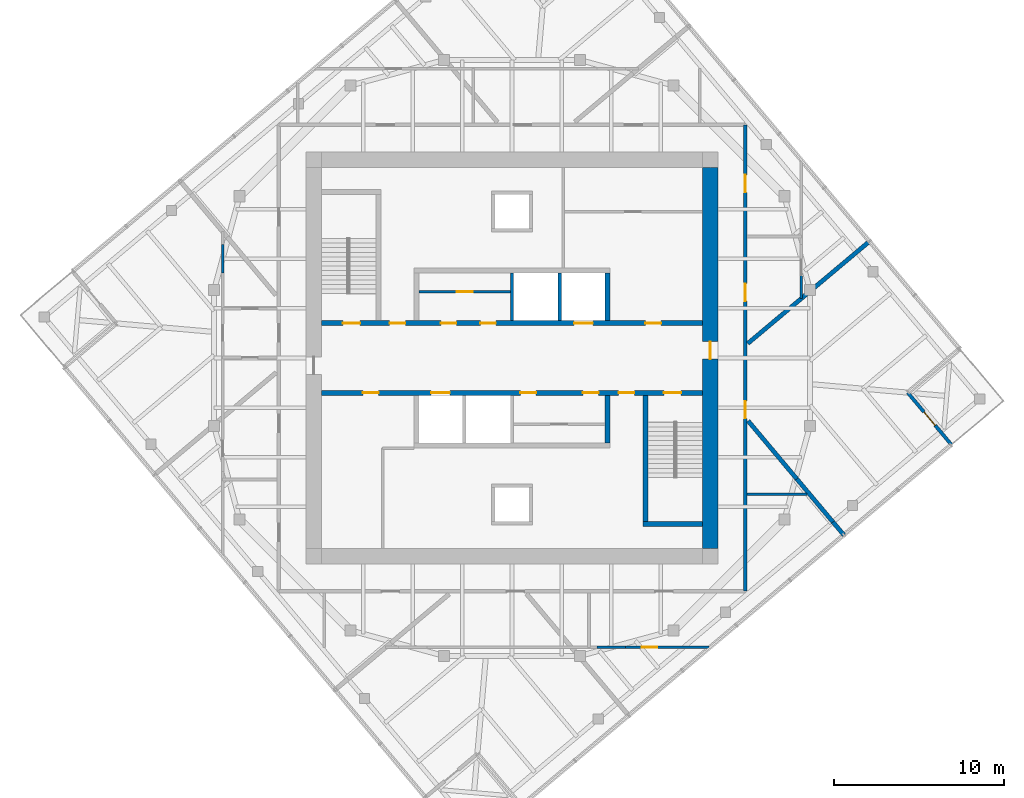
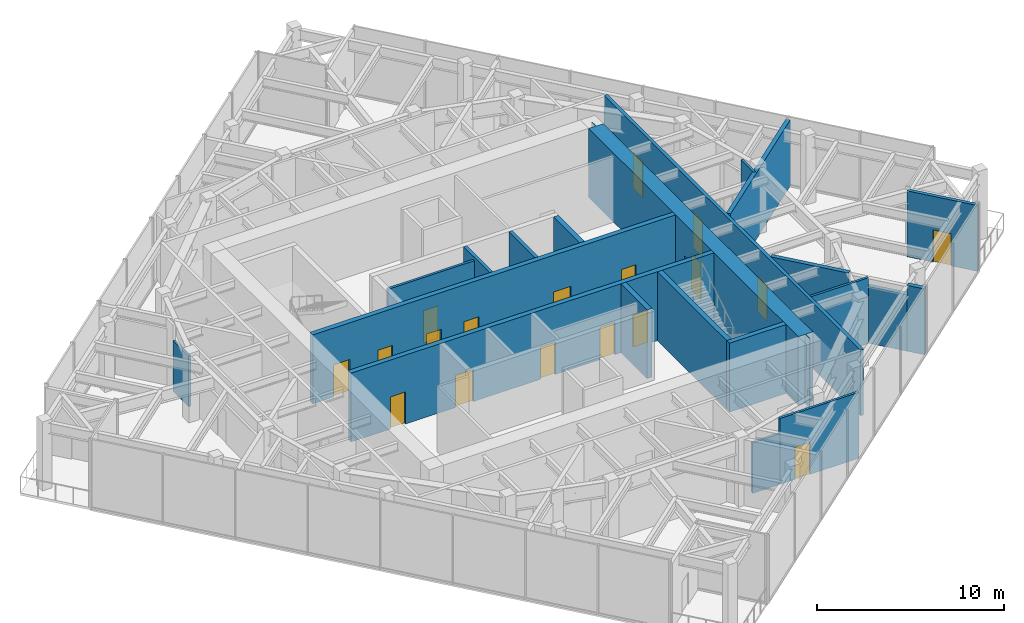
# One storey, part 9 of 11: 21 walls, 19 doors, 19 openings.
"""IFC4 building model written with IfcOpenShell, lengths in metres."""

from ifc_helpers import new_model, si_unit, direction, frame, frame_2d, origin, place, context, subcontext, project, spatial, polyline, rectangle, outline, extrude, material, layer, layer_set, type_object, element, fill, save


model = new_model("IFC4")

# Units and contexts
model_context = context("Model", 3, precision=1e-05, world=origin(), true_north=direction((0.0, 1.0)))
body_context = subcontext(model_context, "Body", "Model", "MODEL_VIEW")
ifc_project = project(units=[si_unit("LENGTHUNIT", "METRE"), si_unit("AREAUNIT", "SQUARE_METRE"), si_unit("VOLUMEUNIT", "CUBIC_METRE"), si_unit("PLANEANGLEUNIT", "RADIAN"), si_unit("MASSUNIT", "GRAM", prefix="KILO")], contexts=[model_context])

# Site, building, storey
site_placement = place(None, origin())
site = spatial("IfcSite", under=ifc_project, at=site_placement, CompositionType="ELEMENT")
building_placement = place(site_placement, origin())
building = spatial("IfcBuilding", under=site, at=building_placement, Name="Torsade Residences", CompositionType="ELEMENT")
storey_placement = place(building_placement, frame((0.0, 0.0, 299.800048828125)))
storey = spatial("IfcBuildingStorey", under=building, at=storey_placement, Name="L83", CompositionType="ELEMENT", Elevation=299.800048828125)

# Wall, openings, doors
ifc_material_1 = material(Name="Concrete 80 MPa", Category="concrete")
ifc_layer_1 = layer(ifc_material_1, 0.300048828125)
ifc_layer_set_1 = layer_set([ifc_layer_1], Name="Concrete 80 MPa")
wall_type_1 = type_object("IfcWallType", Name="CORE INTERNAL WALL 300", PredefinedType="SHEAR", material=ifc_layer_set_1)
wall_1_placement = place(storey_placement, frame((28.800048828125, 32.050048828125, 0.0), z_axis=(0.0, 0.0, 1.0), x_axis=(1.0, 0.0, 0.0)))
wall_1 = element("IfcWall", 1, at=wall_1_placement, inside=storey, type_object=wall_type_1, Name="Core wall LN L83", PredefinedType="SHEAR", context=body_context, shape_type="SweptSolid", body=[
    extrude(rectangle(XDim=22.39990234375, YDim=0.300048828125, at=frame_2d((11.199951171875, 0.0))), origin(), (0.0, 0.0, 1.0), 4.5),
])
opening_1_placement = place(wall_1_placement, frame((19.0400390625, 0.0, 0.0)))
opening_1 = element("IfcOpeningElement", 2, at=opening_1_placement, cuts=wall_1, Name="Opening D06", PredefinedType="OPENING", context=body_context, shape_type="SweptSolid", body=[
    extrude(rectangle(XDim=0.919921875, YDim=2.10009765625, at=frame_2d((0.4599609375, 1.050048828125))), frame((0.0, 0.159912109375, 0.0), z_axis=(0.0, -1.0, 0.0), x_axis=(1.0, 0.0, 0.0)), (0.0, 0.0, 1.0), 0.320068359375),
])
opening_2_placement = place(wall_1_placement, frame((1.264892578125, 0.0, 0.0)))
opening_2 = element("IfcOpeningElement", 3, at=opening_2_placement, cuts=wall_1, Name="Opening D03", PredefinedType="OPENING", context=body_context, shape_type="SweptSolid", body=[
    extrude(rectangle(XDim=1.02001953125, YDim=2.10009765625, at=frame_2d((0.510009765625, 1.050048828125))), frame((0.0, 0.159912109375, 0.0), z_axis=(0.0, -1.0, 0.0), x_axis=(1.0, 0.0, 0.0)), (0.0, 0.0, 1.0), 0.320068359375),
])
opening_3_placement = place(wall_1_placement, frame((4.014892578125, 0.0, 0.0)))
opening_3 = element("IfcOpeningElement", 4, at=opening_3_placement, cuts=wall_1, Name="Opening D06", PredefinedType="OPENING", context=body_context, shape_type="SweptSolid", body=[
    extrude(rectangle(XDim=0.919921875, YDim=2.10009765625, at=frame_2d((0.4599609375, 1.050048828125))), frame((0.0, 0.159912109375, 0.0), z_axis=(0.0, -1.0, 0.0), x_axis=(1.0, 0.0, 0.0)), (0.0, 0.0, 1.0), 0.320068359375),
])
opening_4_placement = place(wall_1_placement, frame((7.014892578125, 0.0, 0.0)))
opening_4 = element("IfcOpeningElement", 5, at=opening_4_placement, cuts=wall_1, Name="Opening D06", PredefinedType="OPENING", context=body_context, shape_type="SweptSolid", body=[
    extrude(rectangle(XDim=0.919921875, YDim=2.10009765625, at=frame_2d((0.4599609375, 1.050048828125))), frame((0.0, 0.159912109375, 0.0), z_axis=(0.0, -1.0, 0.0), x_axis=(1.0, 0.0, 0.0)), (0.0, 0.0, 1.0), 0.320068359375),
])
opening_5_placement = place(wall_1_placement, frame((9.340087890625, 0.0, 0.0)))
opening_5 = element("IfcOpeningElement", 6, at=opening_5_placement, cuts=wall_1, Name="Opening D06", PredefinedType="OPENING", context=body_context, shape_type="SweptSolid", body=[
    extrude(rectangle(XDim=0.919921875, YDim=2.10009765625, at=frame_2d((0.4599609375, 1.050048828125))), frame((0.0, 0.159912109375, 0.0), z_axis=(0.0, -1.0, 0.0), x_axis=(1.0, 0.0, 0.0)), (0.0, 0.0, 1.0), 0.320068359375),
])
opening_6_placement = place(wall_1_placement, frame((14.85009765625, 0.0, 0.0)))
opening_6 = element("IfcOpeningElement", 7, at=opening_6_placement, cuts=wall_1, Name="Opening LD", PredefinedType="OPENING", context=body_context, shape_type="SweptSolid", body=[
    extrude(rectangle(XDim=1.10009765625, YDim=2.10009765625, at=frame_2d((0.550048828125, 1.050048828125))), frame((0.0, 0.159912109375, 0.0), z_axis=(0.0, -1.0, 0.0), x_axis=(1.0, 0.0, 0.0)), (0.0, 0.0, 1.0), 0.320068359375),
])
ifc_material_2 = material(Name="Steel-framed fire door", Category="steel")
door_type_1 = type_object("IfcDoorType", Name="FIRE DOOR 1020", OperationType="NOTDEFINED", PredefinedType="DOOR", material=ifc_material_2)
door_1_placement = place(opening_2_placement, origin())
door_1 = element("IfcDoor", 8, at=door_1_placement, inside=storey, type_object=door_type_1, Name="Exit door to fire-isolated stair ST1 L83", OperationType="SINGLE_SWING_RIGHT", OverallHeight=2.10009765625, OverallWidth=1.02001953125, PredefinedType="DOOR", context=body_context, shape_type="SweptSolid", body=[
    extrude(rectangle(XDim=1.02001953125, YDim=2.10009765625, at=frame_2d((0.510009765625, 1.050048828125))), frame((0.0, 0.02490234375, 0.0), z_axis=(0.0, -1.0, 0.0), x_axis=(1.0, 0.0, 0.0)), (0.0, 0.0, 1.0), 0.050048828125),
])
fill(opening_2, door_1)
ifc_material_3 = material(Name="Steel-framed fire door", Category="steel")
door_type_2 = type_object("IfcDoorType", Name="FIRE DOOR 920", OperationType="NOTDEFINED", PredefinedType="DOOR", material=ifc_material_3)
door_2_placement = place(opening_1_placement, origin())
door_2 = element("IfcDoor", 9, at=door_2_placement, inside=storey, type_object=door_type_2, Name="Door Lift lobby to Refuse room", OperationType="SINGLE_SWING_LEFT", OverallHeight=2.10009765625, OverallWidth=0.919921875, PredefinedType="DOOR", context=body_context, shape_type="SweptSolid", body=[
    extrude(rectangle(XDim=0.919921875, YDim=2.10009765625, at=frame_2d((0.4599609375, 1.050048828125))), frame((0.0, 0.02490234375, 0.0), z_axis=(0.0, -1.0, 0.0), x_axis=(1.0, 0.0, 0.0)), (0.0, 0.0, 1.0), 0.050048828125),
])
fill(opening_1, door_2)
door_3_placement = place(opening_3_placement, origin())
door_3 = element("IfcDoor", 10, at=door_3_placement, inside=storey, type_object=door_type_2, Name="Door Lift lobby to Electrical riser room", OperationType="SINGLE_SWING_LEFT", OverallHeight=2.10009765625, OverallWidth=0.919921875, PredefinedType="DOOR", context=body_context, shape_type="SweptSolid", body=[
    extrude(rectangle(XDim=0.919921875, YDim=2.10009765625, at=frame_2d((0.4599609375, 1.050048828125))), frame((0.0, 0.02490234375, 0.0), z_axis=(0.0, -1.0, 0.0), x_axis=(1.0, 0.0, 0.0)), (0.0, 0.0, 1.0), 0.050048828125),
])
fill(opening_3, door_3)
door_4_placement = place(opening_4_placement, origin())
door_4 = element("IfcDoor", 11, at=door_4_placement, inside=storey, type_object=door_type_2, Name="Door Lift lobby to Plant spares store L83A", OperationType="SINGLE_SWING_RIGHT", OverallHeight=2.10009765625, OverallWidth=0.919921875, PredefinedType="DOOR", context=body_context, shape_type="SweptSolid", body=[
    extrude(rectangle(XDim=0.919921875, YDim=2.10009765625, at=frame_2d((0.4599609375, 1.050048828125))), frame((0.0, 0.02490234375, 0.0), z_axis=(0.0, -1.0, 0.0), x_axis=(1.0, 0.0, 0.0)), (0.0, 0.0, 1.0), 0.050048828125),
])
fill(opening_4, door_4)
door_5_placement = place(opening_5_placement, origin())
door_5 = element("IfcDoor", 12, at=door_5_placement, inside=storey, type_object=door_type_2, Name="Door Lift lobby to Plant spares store L83A", OperationType="SINGLE_SWING_LEFT", OverallHeight=2.10009765625, OverallWidth=0.919921875, PredefinedType="DOOR", context=body_context, shape_type="SweptSolid", body=[
    extrude(rectangle(XDim=0.919921875, YDim=2.10009765625, at=frame_2d((0.4599609375, 1.050048828125))), frame((0.0, 0.02490234375, 0.0), z_axis=(0.0, -1.0, 0.0), x_axis=(1.0, 0.0, 0.0)), (0.0, 0.0, 1.0), 0.050048828125),
])
fill(opening_5, door_5)
ifc_material_4 = material(Name="Stainless steel lift landing door", Category="steel")
door_type_3 = type_object("IfcDoorType", Name="LIFT LANDING DOOR 1100", OperationType="SLIDING_TO_LEFT", PredefinedType="DOOR", material=ifc_material_4)
door_6_placement = place(opening_6_placement, origin())
door_6 = element("IfcDoor", 13, at=door_6_placement, inside=storey, type_object=door_type_3, Name="Lift FL1 landing door L83", OperationType="SLIDING_TO_LEFT", OverallHeight=2.10009765625, OverallWidth=1.10009765625, PredefinedType="DOOR", context=body_context, shape_type="SweptSolid", body=[
    extrude(rectangle(XDim=1.10009765625, YDim=2.10009765625, at=frame_2d((0.550048828125, 1.050048828125))), frame((0.0, 0.02490234375, 0.0), z_axis=(0.0, -1.0, 0.0), x_axis=(1.0, 0.0, 0.0)), (0.0, 0.0, 1.0), 0.050048828125),
])
fill(opening_6, door_6)

wall_2_placement = place(storey_placement, frame((51.199951171875, 27.949951171875, 0.0), z_axis=(0.0, 0.0, 1.0), x_axis=(-1.0, 0.0, 0.0)))
wall_2 = element("IfcWall", 14, at=wall_2_placement, inside=storey, type_object=wall_type_1, Name="Core wall LS L83", PredefinedType="SHEAR", context=body_context, shape_type="SweptSolid", body=[
    extrude(rectangle(XDim=22.39990234375, YDim=0.300048828125, at=frame_2d((11.199951171875, 0.0))), origin(), (0.0, 0.0, 1.0), 4.5),
])
opening_7_placement = place(wall_2_placement, frame((19.0400390625, 0.0, 0.0)))
opening_7 = element("IfcOpeningElement", 15, at=opening_7_placement, cuts=wall_2, Name="Opening D06", PredefinedType="OPENING", context=body_context, shape_type="SweptSolid", body=[
    extrude(rectangle(XDim=0.919921875, YDim=2.10009765625, at=frame_2d((0.4599609375, 1.050048828125))), frame((0.0, 0.159912109375, 0.0), z_axis=(0.0, -1.0, 0.0), x_axis=(1.0, 0.0, 0.0)), (0.0, 0.0, 1.0), 0.320068359375),
])
opening_8_placement = place(wall_2_placement, frame((1.264892578125, 0.0, 0.0)))
opening_8 = element("IfcOpeningElement", 16, at=opening_8_placement, cuts=wall_2, Name="Opening D03", PredefinedType="OPENING", context=body_context, shape_type="SweptSolid", body=[
    extrude(rectangle(XDim=1.02001953125, YDim=2.10009765625, at=frame_2d((0.510009765625, 1.050048828125))), frame((0.0, 0.159912109375, 0.0), z_axis=(0.0, -1.0, 0.0), x_axis=(1.0, 0.0, 0.0)), (0.0, 0.0, 1.0), 0.320068359375),
])
opening_9_placement = place(wall_2_placement, frame((4.014892578125, 0.0, 0.0)))
opening_9 = element("IfcOpeningElement", 17, at=opening_9_placement, cuts=wall_2, Name="Opening D06", PredefinedType="OPENING", context=body_context, shape_type="SweptSolid", body=[
    extrude(rectangle(XDim=0.919921875, YDim=2.10009765625, at=frame_2d((0.4599609375, 1.050048828125))), frame((0.0, 0.159912109375, 0.0), z_axis=(0.0, -1.0, 0.0), x_axis=(1.0, 0.0, 0.0)), (0.0, 0.0, 1.0), 0.320068359375),
])
opening_10_placement = place(wall_2_placement, frame((9.7900390625, 0.0, 0.0)))
opening_10 = element("IfcOpeningElement", 18, at=opening_10_placement, cuts=wall_2, Name="Opening D06", PredefinedType="OPENING", context=body_context, shape_type="SweptSolid", body=[
    extrude(rectangle(XDim=0.919921875, YDim=2.10009765625, at=frame_2d((0.4599609375, 1.050048828125))), frame((0.0, 0.159912109375, 0.0), z_axis=(0.0, -1.0, 0.0), x_axis=(1.0, 0.0, 0.0)), (0.0, 0.0, 1.0), 0.320068359375),
])
opening_11_placement = place(wall_2_placement, frame((6.114990234375, 0.0, 0.0)))
opening_11 = element("IfcOpeningElement", 19, at=opening_11_placement, cuts=wall_2, Name="Opening D06", PredefinedType="OPENING", context=body_context, shape_type="SweptSolid", body=[
    extrude(rectangle(XDim=0.919921875, YDim=2.10009765625, at=frame_2d((0.4599609375, 1.050048828125))), frame((0.0, 0.159912109375, 0.0), z_axis=(0.0, -1.0, 0.0), x_axis=(1.0, 0.0, 0.0)), (0.0, 0.0, 1.0), 0.320068359375),
])
opening_12_placement = place(wall_2_placement, frame((14.85009765625, 0.0, 0.0)))
opening_12 = element("IfcOpeningElement", 20, at=opening_12_placement, cuts=wall_2, Name="Opening LD", PredefinedType="OPENING", context=body_context, shape_type="SweptSolid", body=[
    extrude(rectangle(XDim=1.10009765625, YDim=2.10009765625, at=frame_2d((0.550048828125, 1.050048828125))), frame((0.0, 0.159912109375, 0.0), z_axis=(0.0, -1.0, 0.0), x_axis=(1.0, 0.0, 0.0)), (0.0, 0.0, 1.0), 0.320068359375),
])
door_7_placement = place(opening_8_placement, origin())
door_7 = element("IfcDoor", 21, at=door_7_placement, inside=storey, type_object=door_type_1, Name="Exit door to fire-isolated stair ST2 L83", OperationType="SINGLE_SWING_RIGHT", OverallHeight=2.10009765625, OverallWidth=1.02001953125, PredefinedType="DOOR", context=body_context, shape_type="SweptSolid", body=[
    extrude(rectangle(XDim=1.02001953125, YDim=2.10009765625, at=frame_2d((0.510009765625, 1.050048828125))), frame((0.0, 0.02490234375, 0.0), z_axis=(0.0, -1.0, 0.0), x_axis=(1.0, 0.0, 0.0)), (0.0, 0.0, 1.0), 0.050048828125),
])
fill(opening_8, door_7)
door_8_placement = place(opening_7_placement, origin())
door_8 = element("IfcDoor", 22, at=door_8_placement, inside=storey, type_object=door_type_2, Name="Door Lift lobby to Cleaner store", OperationType="SINGLE_SWING_LEFT", OverallHeight=2.10009765625, OverallWidth=0.919921875, PredefinedType="DOOR", context=body_context, shape_type="SweptSolid", body=[
    extrude(rectangle(XDim=0.919921875, YDim=2.10009765625, at=frame_2d((0.4599609375, 1.050048828125))), frame((0.0, 0.02490234375, 0.0), z_axis=(0.0, -1.0, 0.0), x_axis=(1.0, 0.0, 0.0)), (0.0, 0.0, 1.0), 0.050048828125),
])
fill(opening_7, door_8)
door_9_placement = place(opening_9_placement, origin())
door_9 = element("IfcDoor", 23, at=door_9_placement, inside=storey, type_object=door_type_2, Name="Door Lift lobby to Communications riser room", OperationType="SINGLE_SWING_RIGHT", OverallHeight=2.10009765625, OverallWidth=0.919921875, PredefinedType="DOOR", context=body_context, shape_type="SweptSolid", body=[
    extrude(rectangle(XDim=0.919921875, YDim=2.10009765625, at=frame_2d((0.4599609375, 1.050048828125))), frame((0.0, 0.02490234375, 0.0), z_axis=(0.0, -1.0, 0.0), x_axis=(1.0, 0.0, 0.0)), (0.0, 0.0, 1.0), 0.050048828125),
])
fill(opening_9, door_9)
door_10_placement = place(opening_10_placement, origin())
door_10 = element("IfcDoor", 24, at=door_10_placement, inside=storey, type_object=door_type_2, Name="Door Lift lobby to Maintenance workshop L83C", OperationType="SINGLE_SWING_RIGHT", OverallHeight=2.10009765625, OverallWidth=0.919921875, PredefinedType="DOOR", context=body_context, shape_type="SweptSolid", body=[
    extrude(rectangle(XDim=0.919921875, YDim=2.10009765625, at=frame_2d((0.4599609375, 1.050048828125))), frame((0.0, 0.02490234375, 0.0), z_axis=(0.0, -1.0, 0.0), x_axis=(1.0, 0.0, 0.0)), (0.0, 0.0, 1.0), 0.050048828125),
])
fill(opening_10, door_10)
door_11_placement = place(opening_11_placement, origin())
door_11 = element("IfcDoor", 25, at=door_11_placement, inside=storey, type_object=door_type_2, Name="Door Lift lobby to Maintenance workshop L83C", OperationType="SINGLE_SWING_LEFT", OverallHeight=2.10009765625, OverallWidth=0.919921875, PredefinedType="DOOR", context=body_context, shape_type="SweptSolid", body=[
    extrude(rectangle(XDim=0.919921875, YDim=2.10009765625, at=frame_2d((0.4599609375, 1.050048828125))), frame((0.0, 0.02490234375, 0.0), z_axis=(0.0, -1.0, 0.0), x_axis=(1.0, 0.0, 0.0)), (0.0, 0.0, 1.0), 0.050048828125),
])
fill(opening_11, door_11)
door_12_placement = place(opening_12_placement, origin())
door_12 = element("IfcDoor", 26, at=door_12_placement, inside=storey, type_object=door_type_3, Name="Lift FL2 landing door L83", OperationType="SLIDING_TO_LEFT", OverallHeight=2.10009765625, OverallWidth=1.10009765625, PredefinedType="DOOR", context=body_context, shape_type="SweptSolid", body=[
    extrude(rectangle(XDim=1.10009765625, YDim=2.10009765625, at=frame_2d((0.550048828125, 1.050048828125))), frame((0.0, 0.02490234375, 0.0), z_axis=(0.0, -1.0, 0.0), x_axis=(1.0, 0.0, 0.0)), (0.0, 0.0, 1.0), 0.050048828125),
])
fill(opening_12, door_12)

# Walls
for number, where, z_axis, x_axis, name in (
    (27, (45.60009765625, 27.800048828125, 0.0), (0.0, 0.0, 1.0), (0.0, -1.0, 0.0), "Core wall DS0 L83"),
    (28, (45.60009765625, 32.199951171875, 0.0), (0.0, 0.0, 1.0), (0.0, 1.0, 0.0), "Core wall DN4 L83"),
):
    element("IfcWall", number, at=place(storey_placement, frame(where, z_axis=z_axis, x_axis=x_axis)), inside=storey, type_object=wall_type_1, Name=name, PredefinedType="SHEAR", context=body_context, shape_type="SweptSolid", body=[
        extrude(rectangle(XDim=2.800048828125, YDim=0.300048828125, at=frame_2d((1.39990234375, 0.0))), origin(), (0.0, 0.0, 1.0), 4.5),
    ])
wall_3_placement = place(storey_placement, frame((47.85009765625, 27.800048828125, 0.0), z_axis=(0.0, 0.0, 1.0), x_axis=(0.0, -1.0, 0.0)))
element("IfcWall", 29, at=wall_3_placement, inside=storey, type_object=wall_type_1, Name="Core wall ST2W L83", PredefinedType="SHEAR", context=body_context, shape_type="SweptSolid", body=[
    extrude(rectangle(XDim=7.699951171875, YDim=0.300048828125, at=frame_2d((3.85009765625, 0.0))), origin(), (0.0, 0.0, 1.0), 4.5),
])
wall_4_placement = place(storey_placement, frame((51.199951171875, 20.25, 0.0), z_axis=(0.0, 0.0, 1.0), x_axis=(-1.0, 0.0, 0.0)))
element("IfcWall", 30, at=wall_4_placement, inside=storey, type_object=wall_type_1, Name="Core wall ST2S L83", PredefinedType="SHEAR", context=body_context, shape_type="SweptSolid", body=[
    extrude(rectangle(XDim=3.5, YDim=0.300048828125, at=frame_2d((1.75, 0.0))), origin(), (0.0, 0.0, 1.0), 4.5),
])

# Wall, opening, door
ifc_material_5 = material(Name="Concrete 80 MPa", Category="concrete")
ifc_layer_2 = layer(ifc_material_5, 0.89990234375)
ifc_layer_set_2 = layer_set([ifc_layer_2], Name="Concrete 80 MPa")
wall_type_2 = type_object("IfcWallType", Name="CORE WALL 900", PredefinedType="SHEAR", material=ifc_layer_set_2)
wall_5_placement = place(storey_placement, frame((51.64990234375, 18.800048828125, 0.0), z_axis=(0.0, 0.0, 1.0), x_axis=(0.0, 1.0, 0.0)))
wall_5 = element("IfcWall", 31, at=wall_5_placement, inside=storey, type_object=wall_type_2, Name="Core wall E L83", PredefinedType="SHEAR", context=body_context, shape_type="SweptSolid", body=[
    extrude(outline(polyline([(0.0, -0.449951171875), (22.39990234375, -0.449951171875), (22.39990234375, -0.02490234375), (22.849853515625, -0.02490234375), (22.849853515625, 0.02490234375), (22.39990234375, 0.02490234375), (22.39990234375, 0.449951171875), (0.0, 0.449951171875), (0.0, 0.02490234375), (-0.449951171875, 0.02490234375), (-0.449951171875, -0.02490234375), (0.0, -0.02490234375), (0.0, -0.449951171875)])), origin(), (0.0, 0.0, 1.0), 4.5),
])
opening_13_placement = place(wall_5_placement, frame((11.139892578125, 0.0, 0.0)))
opening_13 = element("IfcOpeningElement", 32, at=opening_13_placement, cuts=wall_5, Name="Opening D04", PredefinedType="OPENING", context=body_context, shape_type="SweptSolid", body=[
    extrude(rectangle(XDim=1.02001953125, YDim=2.39990234375, at=frame_2d((0.510009765625, 1.199951171875))), frame((0.0, 0.4599609375, 0.0), z_axis=(0.0, -1.0, 0.0), x_axis=(1.0, 0.0, 0.0)), (0.0, 0.0, 1.0), 0.919921875),
])
ifc_material_6 = material(Name="Steel-framed fire door", Category="steel")
door_type_4 = type_object("IfcDoorType", Name="LOBBY SMOKE DOOR 1020x2400", OperationType="NOTDEFINED", PredefinedType="DOOR", material=ifc_material_6)
door_13_placement = place(opening_13_placement, origin())
door_13 = element("IfcDoor", 33, at=door_13_placement, inside=storey, type_object=door_type_4, Name="Lift lobby door E L83", OperationType="SINGLE_SWING_LEFT", OverallHeight=2.39990234375, OverallWidth=1.02001953125, PredefinedType="DOOR", context=body_context, shape_type="SweptSolid", body=[
    extrude(rectangle(XDim=1.02001953125, YDim=2.39990234375, at=frame_2d((0.510009765625, 1.199951171875))), frame((0.0, 0.02490234375, 0.0), z_axis=(0.0, -1.0, 0.0), x_axis=(1.0, 0.0, 0.0)), (0.0, 0.0, 1.0), 0.050048828125),
])
fill(opening_13, door_13)

# Wall, openings, doors
ifc_material_7 = material(Name="Plasterboard on steel stud", Category="steel")
ifc_layer_3 = layer(ifc_material_7, 0.199951171875)
ifc_layer_set_3 = layer_set([ifc_layer_3], Name="Plasterboard on steel stud")
wall_type_3 = type_object("IfcWallType", Name="CORRIDOR WALL 200", PredefinedType="PARTITIONING", material=ifc_layer_set_3)
wall_6_placement = place(storey_placement, frame((53.699951171875, 16.300048828125, 0.0), z_axis=(0.0, 0.0, 1.0), x_axis=(0.0, 1.0, 0.0)))
wall_6 = element("IfcWall", 34, at=wall_6_placement, inside=storey, type_object=wall_type_3, Name="Corridor wall L83", PredefinedType="PARTITIONING", context=body_context, shape_type="SweptSolid", body=[
    extrude(rectangle(XDim=27.39990234375, YDim=0.199951171875, at=frame_2d((13.699951171875, 0.0))), origin(), (0.0, 0.0, 1.0), 4.300048828125),
])
opening_14_placement = place(wall_6_placement, frame((10.146240234375, 0.0, 0.0)))
opening_14 = element("IfcOpeningElement", 35, at=opening_14_placement, cuts=wall_6, Name="Opening D01", PredefinedType="OPENING", context=body_context, shape_type="SweptSolid", body=[
    extrude(rectangle(XDim=1.02001953125, YDim=2.340087890625, at=frame_2d((0.510009765625, 1.169921875))), frame((0.0, 0.10986328125, 0.0), z_axis=(0.0, -1.0, 0.0), x_axis=(1.0, 0.0, 0.0)), (0.0, 0.0, 1.0), 0.219970703125),
])
opening_15_placement = place(wall_6_placement, frame((17.0419921875, 0.0, 0.0)))
opening_15 = element("IfcOpeningElement", 36, at=opening_15_placement, cuts=wall_6, Name="Opening D01", PredefinedType="OPENING", context=body_context, shape_type="SweptSolid", body=[
    extrude(rectangle(XDim=1.02001953125, YDim=2.340087890625, at=frame_2d((0.510009765625, 1.169921875))), frame((0.0, 0.10986328125, 0.0), z_axis=(0.0, -1.0, 0.0), x_axis=(1.0, 0.0, 0.0)), (0.0, 0.0, 1.0), 0.219970703125),
])
opening_16_placement = place(wall_6_placement, frame((23.43408203125, 0.0, 0.0)))
opening_16 = element("IfcOpeningElement", 37, at=opening_16_placement, cuts=wall_6, Name="Opening D01", PredefinedType="OPENING", context=body_context, shape_type="SweptSolid", body=[
    extrude(rectangle(XDim=1.02001953125, YDim=2.340087890625, at=frame_2d((0.510009765625, 1.169921875))), frame((0.0, 0.10986328125, 0.0), z_axis=(0.0, -1.0, 0.0), x_axis=(1.0, 0.0, 0.0)), (0.0, 0.0, 1.0), 0.219970703125),
])
ifc_material_8 = material(Name="Solid-core timber fire door", Category="wood")
door_type_5 = type_object("IfcDoorType", Name="APARTMENT ENTRY DOOR 1020x2340", OperationType="NOTDEFINED", PredefinedType="DOOR", material=ifc_material_8)
door_14_placement = place(opening_14_placement, origin())
door_14 = element("IfcDoor", 38, at=door_14_placement, inside=storey, type_object=door_type_5, Name="Door Plant corridor to Plant cupboard", OperationType="SINGLE_SWING_RIGHT", OverallHeight=2.340087890625, OverallWidth=1.02001953125, PredefinedType="DOOR", context=body_context, shape_type="SweptSolid", body=[
    extrude(rectangle(XDim=1.02001953125, YDim=2.340087890625, at=frame_2d((0.510009765625, 1.169921875))), frame((0.0, 0.02490234375, 0.0), z_axis=(0.0, -1.0, 0.0), x_axis=(1.0, 0.0, 0.0)), (0.0, 0.0, 1.0), 0.050048828125),
])
fill(opening_14, door_14)
door_15_placement = place(opening_15_placement, origin())
door_15 = element("IfcDoor", 39, at=door_15_placement, inside=storey, type_object=door_type_5, Name="Door Plant corridor to Store", OperationType="SINGLE_SWING_RIGHT", OverallHeight=2.340087890625, OverallWidth=1.02001953125, PredefinedType="DOOR", context=body_context, shape_type="SweptSolid", body=[
    extrude(rectangle(XDim=1.02001953125, YDim=2.340087890625, at=frame_2d((0.510009765625, 1.169921875))), frame((0.0, 0.02490234375, 0.0), z_axis=(0.0, -1.0, 0.0), x_axis=(1.0, 0.0, 0.0)), (0.0, 0.0, 1.0), 0.050048828125),
])
fill(opening_15, door_15)
door_16_placement = place(opening_16_placement, origin())
door_16 = element("IfcDoor", 40, at=door_16_placement, inside=storey, type_object=door_type_5, Name="Door Plant corridor to Service lobby", OperationType="SINGLE_SWING_RIGHT", OverallHeight=2.340087890625, OverallWidth=1.02001953125, PredefinedType="DOOR", context=body_context, shape_type="SweptSolid", body=[
    extrude(rectangle(XDim=1.02001953125, YDim=2.340087890625, at=frame_2d((0.510009765625, 1.169921875))), frame((0.0, 0.02490234375, 0.0), z_axis=(0.0, -1.0, 0.0), x_axis=(1.0, 0.0, 0.0)), (0.0, 0.0, 1.0), 0.050048828125),
])
fill(opening_16, door_16)

# Walls
ifc_material_9 = material(Name="Reinforced blockwork", Category="masonry")
ifc_layer_4 = layer(ifc_material_9, 0.199951171875)
ifc_layer_set_4 = layer_set([ifc_layer_4], Name="Reinforced blockwork")
wall_type_4 = type_object("IfcWallType", Name="LIFT SHAFT DIVIDING WALL 200", PredefinedType="SOLIDWALL", material=ifc_layer_set_4)
for number, where, z_axis, x_axis, name in (
    (41, (40.0, 32.199951171875, 0.0), (0.0, 0.0, 1.0), (0.0, 1.0, 0.0), "Core wall DN2 L83"),
    (42, (42.800048828125, 32.199951171875, 0.0), (0.0, 0.0, 1.0), (0.0, 1.0, 0.0), "Core wall DN3 L83"),
):
    element("IfcWall", number, at=place(storey_placement, frame(where, z_axis=z_axis, x_axis=x_axis)), inside=storey, type_object=wall_type_4, Name=name, PredefinedType="SOLIDWALL", context=body_context, shape_type="SweptSolid", body=[
        extrude(rectangle(XDim=2.800048828125, YDim=0.199951171875, at=frame_2d((1.39990234375, 0.0))), origin(), (0.0, 0.0, 1.0), 4.5),
    ])
ifc_material_10 = material(Name="Masonry-lined stud party wall", Category="masonry")
ifc_layer_5 = layer(ifc_material_10, 0.25)
ifc_layer_set_5 = layer_set([ifc_layer_5], Name="Masonry-lined stud party wall")
wall_type_5 = type_object("IfcWallType", Name="PARTY WALL 250", PredefinedType="PARTITIONING", material=ifc_layer_set_5)
wall_7_placement = place(storey_placement, frame((59.4970703125, 19.59912109375, 0.0), z_axis=(0.0, 0.0, 1.0), x_axis=(-0.64277405138, 0.766055819685, 0.0)))
element("IfcWall", 43, at=wall_7_placement, inside=storey, type_object=wall_type_5, Name="Party wall L83", PredefinedType="PARTITIONING", context=body_context, shape_type="SweptSolid", body=[
    extrude(rectangle(XDim=1.0, YDim=0.25, at=frame_2d((0.5, 0.0))), origin(), (0.0, 0.0, 1.0), 4.300048828125),
])
wall_8_placement = place(storey_placement, frame((58.854248046875, 20.365234375, 0.0), z_axis=(0.0, 0.0, 1.0), x_axis=(-0.642823301165, 0.766014492995, 0.0)))
element("IfcWall", 44, at=wall_8_placement, inside=storey, type_object=wall_type_5, Name="Party wall L83", PredefinedType="PARTITIONING", context=body_context, shape_type="SweptSolid", body=[
    extrude(rectangle(XDim=3.3076171875, YDim=0.25, at=frame_2d((1.65380859375, 0.0))), origin(), (0.0, 0.0, 1.0), 3.68798828125),
])
wall_9_placement = place(storey_placement, frame((56.72802734375, 22.89892578125, 0.0), z_axis=(0.0, 0.0, 1.0), x_axis=(-0.642778620996, 0.766051985436, 0.0)))
element("IfcWall", 45, at=wall_9_placement, inside=storey, type_object=wall_type_5, Name="Party wall L83", PredefinedType="PARTITIONING", context=body_context, shape_type="SweptSolid", body=[
    extrude(rectangle(XDim=4.4462890625, YDim=0.25, at=frame_2d((2.22314453125, 0.0))), origin(), (0.0, 0.0, 1.0), 4.300048828125),
])
wall_10_placement = place(storey_placement, frame((61.0068359375, 36.857177734375, 0.0), z_axis=(0.0, 0.0, 1.0), x_axis=(-0.766045019392, -0.64278692291, 0.0)))
element("IfcWall", 46, at=wall_10_placement, inside=storey, type_object=wall_type_5, Name="Party wall L83", PredefinedType="PARTITIONING", context=body_context, shape_type="SweptSolid", body=[
    extrude(rectangle(XDim=9.343017578125, YDim=0.25, at=frame_2d((4.67138671875, 0.0))), origin(), (0.0, 0.0, 1.0), 4.300048828125),
])

# Wall, opening, door
ifc_material_11 = material(Name="Stone-faced precast concrete 40 MPa panel", Category="masonry")
ifc_layer_6 = layer(ifc_material_11, 0.199951171875)
ifc_layer_set_6 = layer_set([ifc_layer_6], Name="Stone-faced precast concrete 40 MPa panel")
wall_type_6 = type_object("IfcWallType", Name="PLANT ROOM EXTERNAL WALL 200", PredefinedType="SOLIDWALL", material=ifc_layer_set_6)
wall_11_placement = place(storey_placement, frame((65.81689453125, 24.902099609375, 0.0), z_axis=(0.0, 0.0, 1.0), x_axis=(-0.642768287094, 0.766060656284, 0.0)))
wall_11 = element("IfcWall", 47, at=wall_11_placement, inside=storey, type_object=wall_type_6, Name="Plant room wall L83 2", PredefinedType="SOLIDWALL", context=body_context, shape_type="SweptSolid", body=[
    extrude(rectangle(XDim=4.0, YDim=0.199951171875, at=frame_2d((2.0, 0.0))), origin(), (0.0, 0.0, 1.0), 4.300048828125),
])
opening_17_placement = place(wall_11_placement, frame((1.489990234375, 0.0, 0.0)))
opening_17 = element("IfcOpeningElement", 48, at=opening_17_placement, cuts=wall_11, Name="Opening D11", PredefinedType="OPENING", context=body_context, shape_type="SweptSolid", body=[
    extrude(rectangle(XDim=1.02001953125, YDim=2.10009765625, at=frame_2d((0.510009765625, 1.050048828125))), frame((0.0, 0.10986328125, 0.0), z_axis=(0.0, -1.0, 0.0), x_axis=(1.0, 0.0, 0.0)), (0.0, 0.0, 1.0), 0.219970703125),
])
ifc_material_12 = material(Name="Steel-framed external door", Category="steel")
door_type_6 = type_object("IfcDoorType", Name="MAINTENANCE ROOF DOOR 1020", OperationType="NOTDEFINED", PredefinedType="DOOR", material=ifc_material_12)
door_17_placement = place(opening_17_placement, origin())
door_17 = element("IfcDoor", 49, at=door_17_placement, inside=storey, type_object=door_type_6, Name="Terrace maintenance door L83 2", OperationType="SINGLE_SWING_RIGHT", OverallHeight=2.10009765625, OverallWidth=1.02001953125, PredefinedType="DOOR", context=body_context, shape_type="SweptSolid", body=[
    extrude(rectangle(XDim=1.02001953125, YDim=2.10009765625, at=frame_2d((0.510009765625, 1.050048828125))), frame((0.0, 0.02490234375, 0.0), z_axis=(0.0, -1.0, 0.0), x_axis=(1.0, 0.0, 0.0)), (0.0, 0.0, 1.0), 0.050048828125),
])
fill(opening_17, door_17)

# Walls
ifc_material_13 = material(Name="Reinforced blockwork", Category="masonry")
ifc_layer_7 = layer(ifc_material_13, 0.14990234375)
ifc_layer_set_7 = layer_set([ifc_layer_7], Name="Reinforced blockwork")
wall_type_7 = type_object("IfcWallType", Name="SERVICE ROOM WALL 150", PredefinedType="SOLIDWALL", material=ifc_layer_set_7)
wall_12_placement = place(storey_placement, frame((23.0, 34.98828125, 0.0), z_axis=(0.0, 0.0, 1.0), x_axis=(0.0, 1.0, 0.0)))
element("IfcWall", 50, at=wall_12_placement, inside=storey, type_object=wall_type_7, Name="Service room wall L83", PredefinedType="SOLIDWALL", context=body_context, shape_type="SweptSolid", body=[
    extrude(rectangle(XDim=1.690185546875, YDim=0.14990234375, at=frame_2d((0.84521484375, 0.0))), origin(), (0.0, 0.0, 1.0), 3.300048828125),
])
wall_13_placement = place(storey_placement, frame((53.800048828125, 21.994140625, 0.0), z_axis=(0.0, 0.0, 1.0), x_axis=(1.0, 0.0, 0.0)))
element("IfcWall", 51, at=wall_13_placement, inside=storey, type_object=wall_type_7, Name="Service room wall L83", PredefinedType="SOLIDWALL", context=body_context, shape_type="SweptSolid", body=[
    extrude(rectangle(XDim=3.544189453125, YDim=0.14990234375, at=frame_2d((1.77197265625, 0.0))), origin(), (0.0, 0.0, 1.0), 4.300048828125),
])

# Wall, opening, door
wall_14_placement = place(storey_placement, frame((51.5703125, 13.0, 0.0), z_axis=(0.0, 0.0, 1.0), x_axis=(-1.0, 0.0, 0.0)))
wall_14 = element("IfcWall", 52, at=wall_14_placement, inside=storey, type_object=wall_type_7, Name="Service room wall L83", PredefinedType="SOLIDWALL", context=body_context, shape_type="SweptSolid", body=[
    extrude(rectangle(XDim=4.891845703125, YDim=0.14990234375, at=frame_2d((2.44580078125, 0.0))), origin(), (0.0, 0.0, 1.0), 4.300048828125),
])
opening_18_placement = place(wall_14_placement, frame((3.032958984375, 0.0, 0.0)))
opening_18 = element("IfcOpeningElement", 53, at=opening_18_placement, cuts=wall_14, Name="Opening D06", PredefinedType="OPENING", context=body_context, shape_type="SweptSolid", body=[
    extrude(rectangle(XDim=0.919921875, YDim=2.10009765625, at=frame_2d((0.4599609375, 1.050048828125))), frame((0.0, 0.0849609375, 0.0), z_axis=(0.0, -1.0, 0.0), x_axis=(1.0, 0.0, 0.0)), (0.0, 0.0, 1.0), 0.169921875),
])
door_18_placement = place(opening_18_placement, origin())
door_18 = element("IfcDoor", 54, at=door_18_placement, inside=storey, type_object=door_type_2, Name="Door Service lobby to Booster pump room", OperationType="SINGLE_SWING_RIGHT", OverallHeight=2.10009765625, OverallWidth=0.919921875, PredefinedType="DOOR", context=body_context, shape_type="SweptSolid", body=[
    extrude(rectangle(XDim=0.919921875, YDim=2.10009765625, at=frame_2d((0.4599609375, 1.050048828125))), frame((0.0, 0.02490234375, 0.0), z_axis=(0.0, -1.0, 0.0), x_axis=(1.0, 0.0, 0.0)), (0.0, 0.0, 1.0), 0.050048828125),
])
fill(opening_18, door_18)

# Walls
wall_15_placement = place(storey_placement, frame((46.678466796875, 13.0, 0.0), z_axis=(0.0, 0.0, 1.0), x_axis=(-1.0, 0.0, 0.0)))
element("IfcWall", 55, at=wall_15_placement, inside=storey, type_object=wall_type_7, Name="Service room wall L83", PredefinedType="SOLIDWALL", context=body_context, shape_type="SweptSolid", body=[
    extrude(rectangle(XDim=1.690185546875, YDim=0.14990234375, at=frame_2d((0.84521484375, 0.0))), origin(), (0.0, 0.0, 1.0), 3.300048828125),
])
wall_16_placement = place(storey_placement, frame((57.0, 34.856689453125, 0.0), z_axis=(0.0, 0.0, 1.0), x_axis=(0.0, -1.0, 0.0)))
element("IfcWall", 56, at=wall_16_placement, inside=storey, type_object=wall_type_7, Name="Service room wall L83", PredefinedType="SOLIDWALL", context=body_context, shape_type="SweptSolid", body=[
    extrude(rectangle(XDim=1.361572265625, YDim=0.14990234375, at=frame_2d((0.6806640625, 0.0))), origin(), (0.0, 0.0, 1.0), 4.300048828125),
])

# Wall, opening, door
wall_17_placement = place(storey_placement, frame((34.550048828125, 33.89990234375, 0.0), z_axis=(0.0, 0.0, 1.0), x_axis=(1.0, 0.0, 0.0)))
wall_17 = element("IfcWall", 57, at=wall_17_placement, inside=storey, type_object=wall_type_7, Name="Service room wall L83", PredefinedType="SOLIDWALL", context=body_context, shape_type="SweptSolid", body=[
    extrude(rectangle(XDim=5.349853515625, YDim=0.14990234375, at=frame_2d((2.6748046875, 0.0))), origin(), (0.0, 0.0, 1.0), 4.300048828125),
])
opening_19_placement = place(wall_17_placement, frame((2.215087890625, 0.0, 0.0)))
opening_19 = element("IfcOpeningElement", 58, at=opening_19_placement, cuts=wall_17, Name="Opening D06", PredefinedType="OPENING", context=body_context, shape_type="SweptSolid", body=[
    extrude(rectangle(XDim=0.919921875, YDim=2.10009765625, at=frame_2d((0.4599609375, 1.050048828125))), frame((0.0, 0.0849609375, 0.0), z_axis=(0.0, -1.0, 0.0), x_axis=(1.0, 0.0, 0.0)), (0.0, 0.0, 1.0), 0.169921875),
])
door_19_placement = place(opening_19_placement, origin())
door_19 = element("IfcDoor", 59, at=door_19_placement, inside=storey, type_object=door_type_2, Name="Door Plant spares store L83A to Equipment store L83B", OperationType="SINGLE_SWING_RIGHT", OverallHeight=2.10009765625, OverallWidth=0.919921875, PredefinedType="DOOR", context=body_context, shape_type="SweptSolid", body=[
    extrude(rectangle(XDim=0.919921875, YDim=2.10009765625, at=frame_2d((0.4599609375, 1.050048828125))), frame((0.0, 0.02490234375, 0.0), z_axis=(0.0, -1.0, 0.0), x_axis=(1.0, 0.0, 0.0)), (0.0, 0.0, 1.0), 0.050048828125),
])
fill(opening_19, door_19)

save(model, "model.ifc")
